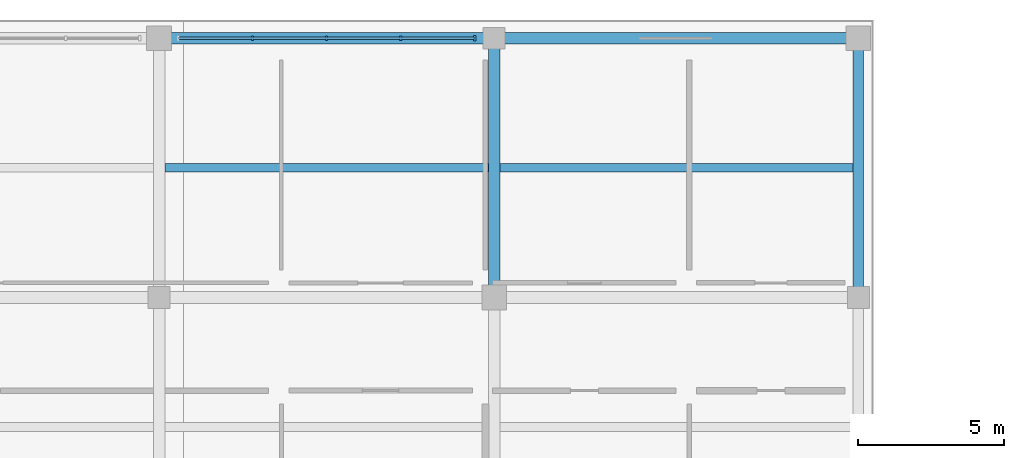
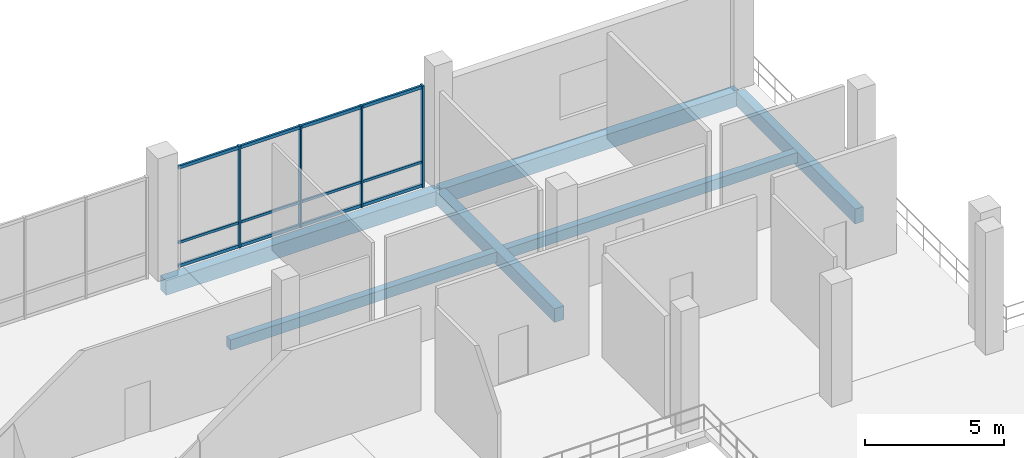
# One storey, part 60 of 114: 7 members, 6 beams, 1 element without a shape of its own.
"""IFC4 building model written with IfcOpenShell, lengths in metres."""

from ifc_helpers import new_model, si_unit, direction, frame, origin, origin_2d, place, context, subcontext, project, spatial, rectangle, extrude, material, material_profile, profile_set, type_object, element, aggregate, save


model = new_model("IFC4")

# Units and contexts
model_context = context("Model", 3, precision=1e-05, world=origin(), true_north=direction((0.0, 1.0)))
body_context = subcontext(model_context, "Body", "Model", "MODEL_VIEW")
ifc_project = project(units=[si_unit("LENGTHUNIT", "METRE"), si_unit("AREAUNIT", "SQUARE_METRE"), si_unit("VOLUMEUNIT", "CUBIC_METRE"), si_unit("PLANEANGLEUNIT", "RADIAN"), si_unit("MASSUNIT", "GRAM", prefix="KILO")], contexts=[model_context])

# Site, building, storey
site_placement = place(None, origin())
site = spatial("IfcSite", under=ifc_project, at=site_placement, CompositionType="ELEMENT")
building_placement = place(site_placement, origin())
building = spatial("IfcBuilding", under=site, at=building_placement, Name="Candeia Ridge Stadium", CompositionType="ELEMENT")
storey_placement = place(building_placement, frame((0.0, 0.0, 5.39990234375)))
storey = spatial("IfcBuildingStorey", under=building, at=storey_placement, Name="L01", CompositionType="ELEMENT", Elevation=5.39990234375)

# Curtain wall, members
ifc_material_1 = material(Name="Aluminium Anodized Warm Bronze", Category="aluminium")
curtain_wall_type = type_object("IfcCurtainWallType", Name="Museum & Boulevard Showcase Curtain Wall", PredefinedType="NOTDEFINED", material=ifc_material_1)
curtain_wall_placement = place(storey_placement, origin())
curtain_wall = element("IfcCurtainWall", 1, at=curtain_wall_placement, inside=storey, type_object=curtain_wall_type, Name="Unitised curtain wall CW-WNG-L01-146", PredefinedType="NOTDEFINED")
ifc_material_profile_1 = material_profile(ifc_material_1, rectangle(XDim=0.090087890625, YDim=0.179931640625, at=origin_2d()), Name="CWM-90x180", Category="aluminium")
ifc_profile_set_1 = profile_set([ifc_material_profile_1], Name="Aluminium Anodized Warm Bronze")
member_type_1 = type_object("IfcMemberType", Name="Curtain Wall Primary Mullion 90x180", PredefinedType="MULLION", material=ifc_profile_set_1)
member_1_placement = place(storey_placement, frame((173.340087890625, 165.39990234375, 0.0), z_axis=(0.0, 0.0, 1.0), x_axis=(1.0, 0.0, 0.0)))
member_1 = element("IfcMember", 2, at=member_1_placement, type_object=member_type_1, Name="Curtain wall mullion CW-WNG-L01-146-M4", PredefinedType="MULLION", context=body_context, shape_type="SweptSolid", body=[
    extrude(rectangle(XDim=0.090087890625, YDim=0.179931640625, at=origin_2d()), origin(), (0.0, 0.0, 1.0), 4.47509765625),
])
ifc_material_profile_2 = material_profile(ifc_material_1, rectangle(XDim=0.074951171875, YDim=0.14990234375, at=origin_2d()), Name="CWM-75x150", Category="aluminium")
ifc_profile_set_2 = profile_set([ifc_material_profile_2], Name="Aluminium Anodized Warm Bronze")
member_type_2 = type_object("IfcMemberType", Name="Curtain Wall Secondary Mullion 75x150", PredefinedType="MULLION", material=ifc_profile_set_2)
member_2_placement = place(storey_placement, frame((165.705078125, 165.39990234375, 0.0), z_axis=(0.0, 0.0, 1.0), x_axis=(1.0, 0.0, 0.0)))
member_2 = element("IfcMember", 3, at=member_2_placement, type_object=member_type_2, Name="Curtain wall mullion CW-WNG-L01-146-M1", PredefinedType="MULLION", context=body_context, shape_type="SweptSolid", body=[
    extrude(rectangle(XDim=0.074951171875, YDim=0.14990234375, at=origin_2d()), origin(), (0.0, 0.0, 1.0), 4.47509765625),
])
member_3_placement = place(storey_placement, frame((168.25, 165.39990234375, 0.0), z_axis=(0.0, 0.0, 1.0), x_axis=(1.0, 0.0, 0.0)))
member_3 = element("IfcMember", 4, at=member_3_placement, type_object=member_type_2, Name="Curtain wall mullion CW-WNG-L01-146-M2", PredefinedType="MULLION", context=body_context, shape_type="SweptSolid", body=[
    extrude(rectangle(XDim=0.074951171875, YDim=0.14990234375, at=origin_2d()), origin(), (0.0, 0.0, 1.0), 4.47509765625),
])
member_4_placement = place(storey_placement, frame((170.794921875, 165.39990234375, 0.0), z_axis=(0.0, 0.0, 1.0), x_axis=(1.0, 0.0, 0.0)))
member_4 = element("IfcMember", 5, at=member_4_placement, type_object=member_type_2, Name="Curtain wall mullion CW-WNG-L01-146-M3", PredefinedType="MULLION", context=body_context, shape_type="SweptSolid", body=[
    extrude(rectangle(XDim=0.074951171875, YDim=0.14990234375, at=origin_2d()), origin(), (0.0, 0.0, 1.0), 4.47509765625),
])
ifc_material_profile_3 = material_profile(ifc_material_1, rectangle(XDim=0.074951171875, YDim=0.110107421875, at=origin_2d()), Name="CWT-75x110", Category="aluminium")
ifc_profile_set_3 = profile_set([ifc_material_profile_3], Name="Aluminium Anodized Warm Bronze")
member_type_3 = type_object("IfcMemberType", Name="Curtain Wall Secondary Transom 75x110", PredefinedType="USERDEFINED", material=ifc_profile_set_3)
member_5_placement = place(storey_placement, frame((163.159912109375, 165.39990234375, 1.10009765625), z_axis=(1.0, 0.0, 0.0), x_axis=(0.0, 1.0, 0.0)))
member_5 = element("IfcMember", 6, at=member_5_placement, type_object=member_type_3, Name="Curtain wall transom CW-WNG-L01-146-T1", ObjectType="TRANSOM", PredefinedType="USERDEFINED", context=body_context, shape_type="SweptSolid", body=[
    extrude(rectangle(XDim=0.074951171875, YDim=0.110107421875, at=origin_2d()), origin(), (0.0, 0.0, 1.0), 10.18017578125),
])
ifc_material_profile_4 = material_profile(ifc_material_1, rectangle(XDim=0.090087890625, YDim=0.139892578125, at=origin_2d()), Name="CWT-90x140", Category="aluminium")
ifc_profile_set_4 = profile_set([ifc_material_profile_4], Name="Aluminium Anodized Warm Bronze")
member_type_4 = type_object("IfcMemberType", Name="Curtain Wall Transom 90x140", PredefinedType="USERDEFINED", material=ifc_profile_set_4)
member_6_placement = place(storey_placement, frame((163.159912109375, 165.39990234375, 0.070068359375), z_axis=(1.0, 0.0, 0.0), x_axis=(0.0, 1.0, 0.0)))
member_6 = element("IfcMember", 7, at=member_6_placement, type_object=member_type_4, Name="Curtain wall transom CW-WNG-L01-146-T0", ObjectType="TRANSOM", PredefinedType="USERDEFINED", context=body_context, shape_type="SweptSolid", body=[
    extrude(rectangle(XDim=0.090087890625, YDim=0.139892578125, at=origin_2d()), origin(), (0.0, 0.0, 1.0), 10.18017578125),
])
member_7_placement = place(storey_placement, frame((163.159912109375, 165.39990234375, 4.405029296875), z_axis=(1.0, 0.0, 0.0), x_axis=(0.0, 1.0, 0.0)))
member_7 = element("IfcMember", 8, at=member_7_placement, type_object=member_type_4, Name="Curtain wall transom CW-WNG-L01-146-T2", ObjectType="TRANSOM", PredefinedType="USERDEFINED", context=body_context, shape_type="SweptSolid", body=[
    extrude(rectangle(XDim=0.090087890625, YDim=0.139892578125, at=origin_2d()), origin(), (0.0, 0.0, 1.0), 10.18017578125),
])
aggregate(curtain_wall, [member_2, member_3, member_4, member_1, member_6, member_5, member_7])

# Beams
ifc_material_2 = material(Name="Concrete C40/50", Category="concrete")
ifc_material_profile_5 = material_profile(ifc_material_2, rectangle(XDim=0.300048828125, YDim=0.449951171875, at=origin_2d()), Name="RC300x450", Category="concrete")
ifc_profile_set_5 = profile_set([ifc_material_profile_5], Name="Concrete C40/50")
beam_type_1 = type_object("IfcBeamType", Name="Floor Joist RC300x450", PredefinedType="JOIST", material=ifc_profile_set_5)
beam_1_placement = place(storey_placement, frame((162.699462890625, 160.949951171875, -0.48486328125), z_axis=(1.0, 0.0, 0.0), x_axis=(0.0, 1.0, 0.0)))
element("IfcBeam", 9, at=beam_1_placement, inside=storey, type_object=beam_type_1, Name="Wing secondary joist BM-L01-1607", PredefinedType="JOIST", context=body_context, shape_type="SweptSolid", body=[
    extrude(rectangle(XDim=0.300048828125, YDim=0.449951171875, at=origin_2d()), origin(), (0.0, 0.0, 1.0), 11.10107421875),
])
beam_2_placement = place(storey_placement, frame((174.199462890625, 160.949951171875, -0.48486328125), z_axis=(1.0, 0.0, 0.0), x_axis=(0.0, 1.0, 0.0)))
element("IfcBeam", 10, at=beam_2_placement, inside=storey, type_object=beam_type_1, Name="Wing secondary joist BM-L01-1612", PredefinedType="JOIST", context=body_context, shape_type="SweptSolid", body=[
    extrude(rectangle(XDim=0.300048828125, YDim=0.449951171875, at=origin_2d()), origin(), (0.0, 0.0, 1.0), 12.1259765625),
])
ifc_material_profile_6 = material_profile(ifc_material_2, rectangle(XDim=0.39990234375, YDim=0.60009765625, at=origin_2d()), Name="RC400x600", Category="concrete")
ifc_profile_set_6 = profile_set([ifc_material_profile_6], Name="Concrete C40/50")
beam_type_2 = type_object("IfcBeamType", Name="Frame Girder RC400x600", PredefinedType="BEAM", material=ifc_profile_set_6)
beam_3_placement = place(storey_placement, frame((174.0, 156.659912109375, -0.559814453125), z_axis=(0.0, 1.0, 0.0), x_axis=(-1.0, 0.0, 0.0)))
element("IfcBeam", 11, at=beam_3_placement, inside=storey, type_object=beam_type_2, Name="Structural girder BM-L01-1581", PredefinedType="BEAM", context=body_context, shape_type="SweptSolid", body=[
    extrude(rectangle(XDim=0.39990234375, YDim=0.60009765625, at=origin_2d()), origin(), (0.0, 0.0, 1.0), 8.580078125),
])
ifc_material_profile_7 = material_profile(ifc_material_2, rectangle(XDim=0.35009765625, YDim=0.64990234375, at=origin_2d()), Name="RC350x650", Category="concrete")
ifc_profile_set_7 = profile_set([ifc_material_profile_7], Name="Concrete C40/50")
beam_type_3 = type_object("IfcBeamType", Name="Spandrel Beam RC350x650", PredefinedType="SPANDREL", material=ifc_profile_set_7)
beam_4_placement = place(storey_placement, frame((186.5, 156.659912109375, -0.5849609375), z_axis=(0.0, 1.0, 0.0), x_axis=(-1.0, 0.0, 0.0)))
element("IfcBeam", 12, at=beam_4_placement, inside=storey, type_object=beam_type_3, Name="Structural girder BM-L01-1583", PredefinedType="SPANDREL", context=body_context, shape_type="SweptSolid", body=[
    extrude(rectangle(XDim=0.35009765625, YDim=0.64990234375, at=origin_2d()), origin(), (0.0, 0.0, 1.0), 8.580078125),
])
ifc_material_profile_8 = material_profile(ifc_material_2, rectangle(XDim=0.39990234375, YDim=0.64990234375, at=origin_2d()), Name="RC400x650", Category="concrete")
ifc_profile_set_8 = profile_set([ifc_material_profile_8], Name="Concrete C40/50")
beam_type_4 = type_object("IfcBeamType", Name="Wing Primary Girder RC400x650", PredefinedType="BEAM", material=ifc_profile_set_8)
beam_5_placement = place(storey_placement, frame((162.550048828125, 165.39990234375, -0.5849609375), z_axis=(1.0, 0.0, 0.0), x_axis=(0.0, 1.0, 0.0)))
element("IfcBeam", 13, at=beam_5_placement, inside=storey, type_object=beam_type_4, Name="Structural girder BM-L01-1608", PredefinedType="BEAM", context=body_context, shape_type="SweptSolid", body=[
    extrude(rectangle(XDim=0.39990234375, YDim=0.64990234375, at=origin_2d()), origin(), (0.0, 0.0, 1.0), 11.39990234375),
])
beam_6_placement = place(storey_placement, frame((174.050048828125, 165.39990234375, -0.5849609375), z_axis=(1.0, 0.0, 0.0), x_axis=(0.0, 1.0, 0.0)))
element("IfcBeam", 14, at=beam_6_placement, inside=storey, type_object=beam_type_4, Name="Structural girder BM-L01-1613", PredefinedType="BEAM", context=body_context, shape_type="SweptSolid", body=[
    extrude(rectangle(XDim=0.39990234375, YDim=0.64990234375, at=origin_2d()), origin(), (0.0, 0.0, 1.0), 12.39990234375),
])

save(model, "model.ifc")
